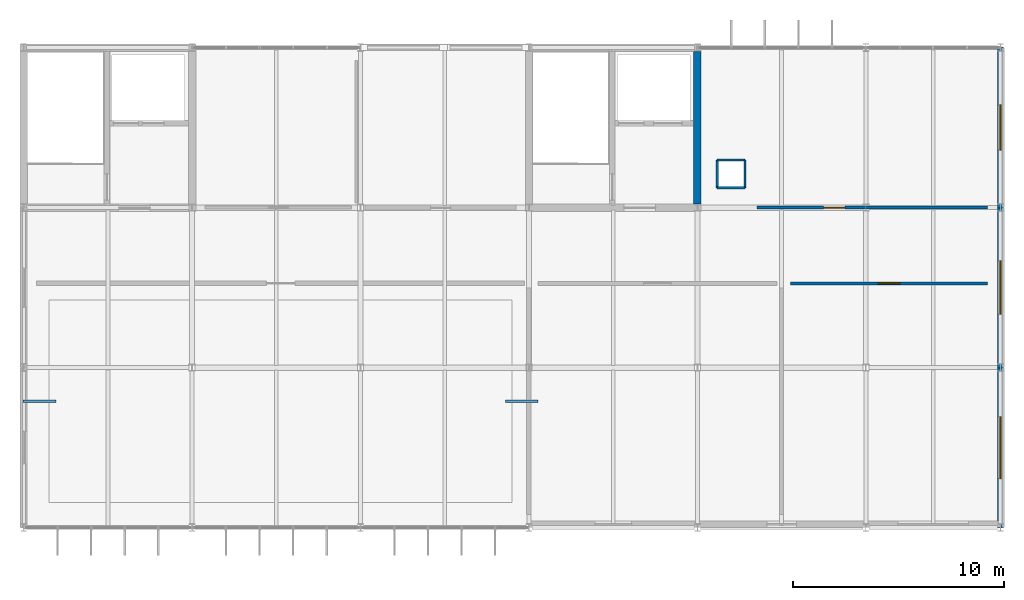
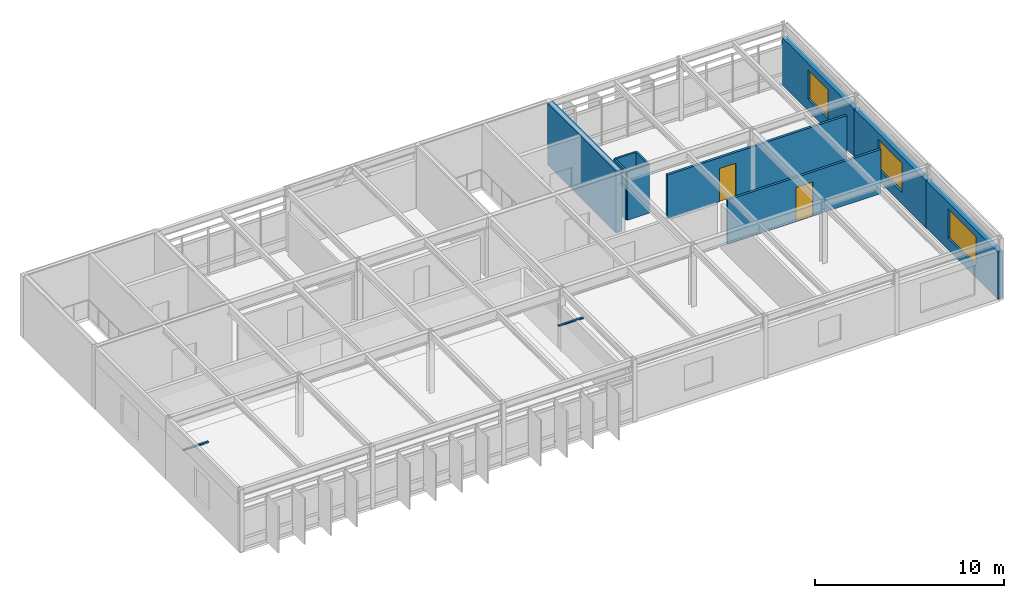
# One storey, part 15 of 17: 10 walls, 3 windows, 2 discrete accessories, 2 doors, 5 openings.
"""IFC4 building model written with IfcOpenShell, lengths in metres."""

from ifc_helpers import new_model, si_unit, direction, frame, frame_2d, origin, origin_2d, place, context, subcontext, project, spatial, rectangle, extrude, material, layer, layer_set, type_object, element, fill, save


model = new_model("IFC4")

# Units and contexts
model_context = context("Model", 3, precision=1e-05, world=origin(), true_north=direction((0.0, 1.0)))
body_context = subcontext(model_context, "Body", "Model", "MODEL_VIEW")
ifc_project = project(units=[si_unit("LENGTHUNIT", "METRE"), si_unit("AREAUNIT", "SQUARE_METRE"), si_unit("VOLUMEUNIT", "CUBIC_METRE"), si_unit("PLANEANGLEUNIT", "RADIAN"), si_unit("MASSUNIT", "GRAM", prefix="KILO")], contexts=[model_context])

# Site, building, storey
site_placement = place(None, origin())
site = spatial("IfcSite", under=ifc_project, at=site_placement, CompositionType="ELEMENT")
building_placement = place(site_placement, origin())
building = spatial("IfcBuilding", under=site, at=building_placement, Name="Zulena Civic Courthouse", CompositionType="ELEMENT")
storey_placement = place(building_placement, frame((0.0, 0.0, 42.0)))
storey = spatial("IfcBuildingStorey", under=building, at=storey_placement, Name="L09", CompositionType="ELEMENT", Elevation=42.0)

# Wall
ifc_material_1 = material(Name="Concrete C40/50", Category="concrete")
ifc_layer_1 = layer(ifc_material_1, 0.35009765625)
ifc_layer_set_1 = layer_set([ifc_layer_1], Name="Concrete C40/50")
wall_type_1 = type_object("IfcWallType", Name="CoreShearWall_RC350", PredefinedType="SHEAR", material=ifc_layer_set_1)
wall_1_placement = place(storey_placement, frame((52.0, 15.375, 0.0), z_axis=(0.0, 0.0, 1.0), x_axis=(0.0, 1.0, 0.0)))
element("IfcWall", 1, at=wall_1_placement, inside=storey, type_object=wall_type_1, Name="cwall:K2B:L09:E", PredefinedType="SHEAR", context=body_context, shape_type="SweptSolid", body=[
    extrude(rectangle(XDim=7.25, YDim=0.35009765625, at=frame_2d((3.625, 0.0))), origin(), (0.0, 0.0, 1.0), 3.989990234375),
])

# Wall, opening, window
ifc_material_2 = material(Name="White architectural precast concrete C40/50", Category="concrete")
ifc_layer_2 = layer(ifc_material_2, 0.300048828125)
ifc_layer_set_2 = layer_set([ifc_layer_2], Name="White architectural precast concrete C40/50")
wall_type_2 = type_object("IfcWallType", Name="ExtWall_WhitePrecast_300", PredefinedType="STANDARD", material=ifc_layer_set_2)
wall_2_placement = place(storey_placement, frame((66.39990234375, 22.820068359375, 0.0), z_axis=(0.0, 0.0, 1.0), x_axis=(0.0, -1.0, 0.0)))
wall_2 = element("IfcWall", 2, at=wall_2_placement, inside=storey, type_object=wall_type_2, Name="ewall:V2:L09:2:0", PredefinedType="STANDARD", context=body_context, shape_type="SweptSolid", body=[
    extrude(rectangle(XDim=7.64013671875, YDim=0.300048828125, at=frame_2d((3.820068359375, 0.0))), origin(), (0.0, 0.0, 1.0), 3.06005859375),
])
opening_1_placement = place(wall_2_placement, frame((2.7451171875, 0.0, 0.75)))
opening_1 = element("IfcOpeningElement", 3, at=opening_1_placement, cuts=wall_2, Name="Opening WN38", PredefinedType="OPENING", context=body_context, shape_type="SweptSolid", body=[
    extrude(rectangle(XDim=2.14990234375, YDim=1.89990234375, at=frame_2d((1.074951171875, 0.949951171875))), frame((0.0, 0.159912109375, 0.0), z_axis=(0.0, -1.0, 0.0), x_axis=(1.0, 0.0, 0.0)), (0.0, 0.0, 1.0), 0.320068359375),
])
ifc_material_3 = material(Name="Double-silver low-E laminated solar-control glass", Category="glass")
window_type_1 = type_object("IfcWindowType", Name="Win_2150x1900", PartitioningType="DOUBLE_PANEL_VERTICAL", PredefinedType="WINDOW", material=ifc_material_3)
window_1_placement = place(opening_1_placement, origin())
window_1 = element("IfcWindow", 4, at=window_1_placement, inside=storey, type_object=window_type_1, Name="win:V2:L09:2:0", OverallHeight=1.89990234375, OverallWidth=2.14990234375, PartitioningType="SINGLE_PANEL", PredefinedType="WINDOW", context=body_context, shape_type="SweptSolid", body=[
    extrude(rectangle(XDim=2.14990234375, YDim=1.89990234375, at=frame_2d((1.074951171875, 0.949951171875))), frame((0.0, 0.030029296875, 0.0), z_axis=(0.0, -1.0, 0.0), x_axis=(1.0, 0.0, 0.0)), (0.0, 0.0, 1.0), 0.06005859375),
])
fill(opening_1, window_1)

wall_3_placement = place(storey_placement, frame((66.39990234375, 15.219970703125, 0.0), z_axis=(0.0, 0.0, 1.0), x_axis=(0.0, -1.0, 0.0)))
wall_3 = element("IfcWall", 5, at=wall_3_placement, inside=storey, type_object=wall_type_2, Name="ewall:V2:L09:2:1", PredefinedType="STANDARD", context=body_context, shape_type="SweptSolid", body=[
    extrude(rectangle(XDim=7.639892578125, YDim=0.300048828125, at=frame_2d((3.81982421875, 0.0))), origin(), (0.0, 0.0, 1.0), 3.06005859375),
])
opening_2_placement = place(wall_3_placement, frame((2.544921875, 0.0, 0.75)))
opening_2 = element("IfcOpeningElement", 6, at=opening_2_placement, cuts=wall_3, Name="Opening WN39", PredefinedType="OPENING", context=body_context, shape_type="SweptSolid", body=[
    extrude(rectangle(XDim=2.550048828125, YDim=1.89990234375, at=frame_2d((1.27490234375, 0.949951171875))), frame((0.0, 0.159912109375, 0.0), z_axis=(0.0, -1.0, 0.0), x_axis=(1.0, 0.0, 0.0)), (0.0, 0.0, 1.0), 0.320068359375),
])
window_type_2 = type_object("IfcWindowType", Name="Win_2550x1900", PartitioningType="DOUBLE_PANEL_VERTICAL", PredefinedType="WINDOW", material=ifc_material_3)
window_2_placement = place(opening_2_placement, origin())
window_2 = element("IfcWindow", 7, at=window_2_placement, inside=storey, type_object=window_type_2, Name="win:V2:L09:2:1", OverallHeight=1.89990234375, OverallWidth=2.550048828125, PartitioningType="SINGLE_PANEL", PredefinedType="WINDOW", context=body_context, shape_type="SweptSolid", body=[
    extrude(rectangle(XDim=2.550048828125, YDim=1.89990234375, at=frame_2d((1.27490234375, 0.949951171875))), frame((0.0, 0.030029296875, 0.0), z_axis=(0.0, -1.0, 0.0), x_axis=(1.0, 0.0, 0.0)), (0.0, 0.0, 1.0), 0.06005859375),
])
fill(opening_2, window_2)

wall_4_placement = place(storey_placement, frame((66.39990234375, 7.6201171875, 0.0), z_axis=(0.0, 0.0, 1.0), x_axis=(0.0, -1.0, 0.0)))
wall_4 = element("IfcWall", 8, at=wall_4_placement, inside=storey, type_object=wall_type_2, Name="ewall:V2:L09:2:2", PredefinedType="STANDARD", context=body_context, shape_type="SweptSolid", body=[
    extrude(rectangle(XDim=7.64013671875, YDim=0.300048828125, at=frame_2d((3.820068359375, 0.0))), origin(), (0.0, 0.0, 1.0), 3.06005859375),
])
opening_3_placement = place(wall_4_placement, frame((2.344970703125, 0.0, 0.75)))
opening_3 = element("IfcOpeningElement", 9, at=opening_3_placement, cuts=wall_4, Name="Opening WN40", PredefinedType="OPENING", context=body_context, shape_type="SweptSolid", body=[
    extrude(rectangle(XDim=2.949951171875, YDim=1.89990234375, at=frame_2d((1.47509765625, 0.949951171875))), frame((0.0, 0.159912109375, 0.0), z_axis=(0.0, -1.0, 0.0), x_axis=(1.0, 0.0, 0.0)), (0.0, 0.0, 1.0), 0.320068359375),
])
window_type_3 = type_object("IfcWindowType", Name="Win_2950x1900", PartitioningType="DOUBLE_PANEL_VERTICAL", PredefinedType="WINDOW", material=ifc_material_3)
window_3_placement = place(opening_3_placement, origin())
window_3 = element("IfcWindow", 10, at=window_3_placement, inside=storey, type_object=window_type_3, Name="win:V2:L09:2:2", OverallHeight=1.89990234375, OverallWidth=2.949951171875, PartitioningType="SINGLE_PANEL", PredefinedType="WINDOW", context=body_context, shape_type="SweptSolid", body=[
    extrude(rectangle(XDim=2.949951171875, YDim=1.89990234375, at=frame_2d((1.47509765625, 0.949951171875))), frame((0.0, 0.030029296875, 0.0), z_axis=(0.0, -1.0, 0.0), x_axis=(1.0, 0.0, 0.0)), (0.0, 0.0, 1.0), 0.06005859375),
])
fill(opening_3, window_3)

# Wall, opening, door
ifc_material_4 = material(Name="Acoustic fire-rated gypsum board assembly", Category="masonry")
ifc_layer_3 = layer(ifc_material_4, 0.14599609375)
ifc_layer_set_3 = layer_set([ifc_layer_3], Name="Acoustic fire-rated gypsum board assembly")
wall_type_3 = type_object("IfcWallType", Name="PartWall_Chambers_146", PredefinedType="PARTITIONING", material=ifc_layer_set_3)
wall_5_placement = place(storey_placement, frame((56.419921875, 11.60009765625, 0.0), z_axis=(0.0, 0.0, 1.0), x_axis=(1.0, 0.0, 0.0)))
wall_5 = element("IfcWall", 11, at=wall_5_placement, inside=storey, type_object=wall_type_3, Name="pwall:L09:367:0", PredefinedType="PARTITIONING", context=body_context, shape_type="SweptSolid", body=[
    extrude(rectangle(XDim=9.360107421875, YDim=0.14599609375, at=frame_2d((4.68017578125, 0.0))), origin(), (0.0, 0.0, 1.0), 2.85009765625),
])
opening_4_placement = place(wall_5_placement, frame((4.159912109375, 0.0, 0.0)))
opening_4 = element("IfcOpeningElement", 12, at=opening_4_placement, cuts=wall_5, Name="Opening ID21", PredefinedType="OPENING", context=body_context, shape_type="SweptSolid", body=[
    extrude(rectangle(XDim=1.0400390625, YDim=2.199951171875, at=frame_2d((0.52001953125, 1.10009765625))), frame((0.0, 0.0830078125, 0.0), z_axis=(0.0, -1.0, 0.0), x_axis=(1.0, 0.0, 0.0)), (0.0, 0.0, 1.0), 0.166015625),
])
ifc_material_5 = material(Name="Solid-core acoustic hardwood timber", Category="wood")
door_type_1 = type_object("IfcDoorType", Name="IntDoor_Mediation_1040x2200", OperationType="NOTDEFINED", PredefinedType="DOOR", material=ifc_material_5)
door_1_placement = place(opening_4_placement, origin())
door_1 = element("IfcDoor", 13, at=door_1_placement, inside=storey, type_object=door_type_1, Name="door:rm:L09:367", OperationType="SINGLE_SWING_RIGHT", OverallHeight=2.199951171875, OverallWidth=1.0400390625, PredefinedType="DOOR", context=body_context, shape_type="SweptSolid", body=[
    extrude(rectangle(XDim=1.0400390625, YDim=2.199951171875, at=frame_2d((0.52001953125, 1.10009765625))), frame((0.0, 0.02490234375, 0.0), z_axis=(0.0, -1.0, 0.0), x_axis=(1.0, 0.0, 0.0)), (0.0, 0.0, 1.0), 0.050048828125),
])
fill(opening_4, door_1)

wall_6_placement = place(storey_placement, frame((54.820068359375, 15.199951171875, 0.0), z_axis=(0.0, 0.0, 1.0), x_axis=(1.0, 0.0, 0.0)))
wall_6 = element("IfcWall", 14, at=wall_6_placement, inside=storey, type_object=wall_type_3, Name="pwall:L09:370:0", PredefinedType="PARTITIONING", context=body_context, shape_type="SweptSolid", body=[
    extrude(rectangle(XDim=10.9599609375, YDim=0.14599609375, at=frame_2d((5.47998046875, 0.0))), origin(), (0.0, 0.0, 1.0), 2.85009765625),
])
opening_5_placement = place(wall_6_placement, frame((3.179931640625, 0.0, 0.0)))
opening_5 = element("IfcOpeningElement", 15, at=opening_5_placement, cuts=wall_6, Name="Opening ID24", PredefinedType="OPENING", context=body_context, shape_type="SweptSolid", body=[
    extrude(rectangle(XDim=1.0, YDim=2.14990234375, at=frame_2d((0.5, 1.074951171875))), frame((0.0, 0.0830078125, 0.0), z_axis=(0.0, -1.0, 0.0), x_axis=(1.0, 0.0, 0.0)), (0.0, 0.0, 1.0), 0.166015625),
])
door_type_2 = type_object("IfcDoorType", Name="IntDoor_AccWC_1000x2150", OperationType="NOTDEFINED", PredefinedType="DOOR", material=ifc_material_5)
door_2_placement = place(opening_5_placement, origin())
door_2 = element("IfcDoor", 16, at=door_2_placement, inside=storey, type_object=door_type_2, Name="door:rm:L09:370", OperationType="SINGLE_SWING_LEFT", OverallHeight=2.14990234375, OverallWidth=1.0, PredefinedType="DOOR", context=body_context, shape_type="SweptSolid", body=[
    extrude(rectangle(XDim=1.0, YDim=2.14990234375, at=frame_2d((0.5, 1.074951171875))), frame((0.0, 0.02490234375, 0.0), z_axis=(0.0, -1.0, 0.0), x_axis=(1.0, 0.0, 0.0)), (0.0, 0.0, 1.0), 0.050048828125),
])
fill(opening_5, door_2)

# Walls
ifc_material_6 = material(Name="Insulated blockwork masonry ASTM C90", Category="masonry")
ifc_layer_4 = layer(ifc_material_6, 0.114990234375)
ifc_layer_set_4 = layer_set([ifc_layer_4], Name="Insulated blockwork masonry ASTM C90")
wall_type_4 = type_object("IfcWallType", Name="PartWall_Riser_115", PredefinedType="PARTITIONING", material=ifc_layer_set_4)
for number, where, z_axis, x_axis, name in (
    (17, (52.93994140625, 16.139892578125, 0.0), (0.0, 0.0, 1.0), (1.0, 0.0, 0.0), "riser:RS-V2E:L09:0"),
    (18, (54.260009765625, 16.139892578125, 0.0), (0.0, 0.0, 1.0), (0.0, 1.0, 0.0), "riser:RS-V2E:L09:1"),
    (19, (54.260009765625, 17.4599609375, 0.0), (0.0, 0.0, 1.0), (-1.0, 0.0, 0.0), "riser:RS-V2E:L09:2"),
    (20, (52.93994140625, 17.4599609375, 0.0), (0.0, 0.0, 1.0), (0.0, -1.0, 0.0), "riser:RS-V2E:L09:3"),
):
    element("IfcWall", number, at=place(storey_placement, frame(where, z_axis=z_axis, x_axis=x_axis)), inside=storey, type_object=wall_type_4, Name=name, PredefinedType="PARTITIONING", context=body_context, shape_type="SweptSolid", body=[
        extrude(rectangle(XDim=1.320068359375, YDim=0.114990234375, at=frame_2d((0.66015625, 0.0))), origin(), (0.0, 0.0, 1.0), 3.14990234375),
    ])

# Discrete accessories
ifc_material_7 = material(Name="Gold anodised architectural aluminium AA6063-T6", Category="aluminium")
ifc_layer_5 = layer(ifc_material_7, 0.1201171875)
ifc_layer_set_5 = layer_set([ifc_layer_5], Name="Gold anodised architectural aluminium AA6063-T6")
discrete_accessory_type = type_object("IfcDiscreteAccessoryType", Name="FinOutriggerBracket", PredefinedType="BRACKET", material=ifc_layer_set_5)
for number, where, z_axis, x_axis, name in (
    (21, (20.75, 6.0, 2.7900390625), (0.0, 0.0, 1.0), (1.0, 0.0, 0.0), "hng:ceil:L09:365:0"),
    (22, (43.64990234375, 6.0, 2.7900390625), (0.0, 0.0, 1.0), (1.0, 0.0, 0.0), "hng:ceil:L09:365:1"),
):
    element("IfcDiscreteAccessory", number, at=place(storey_placement, frame(where, z_axis=z_axis, x_axis=x_axis)), inside=storey, type_object=discrete_accessory_type, Name=name, PredefinedType="BRACKET", context=body_context, shape_type="SweptSolid", body=[
        extrude(rectangle(XDim=1.550048828125, YDim=0.1201171875, at=origin_2d()), origin(), (0.0, 0.0, 1.0), 0.080078125),
    ])

save(model, "model.ifc")
